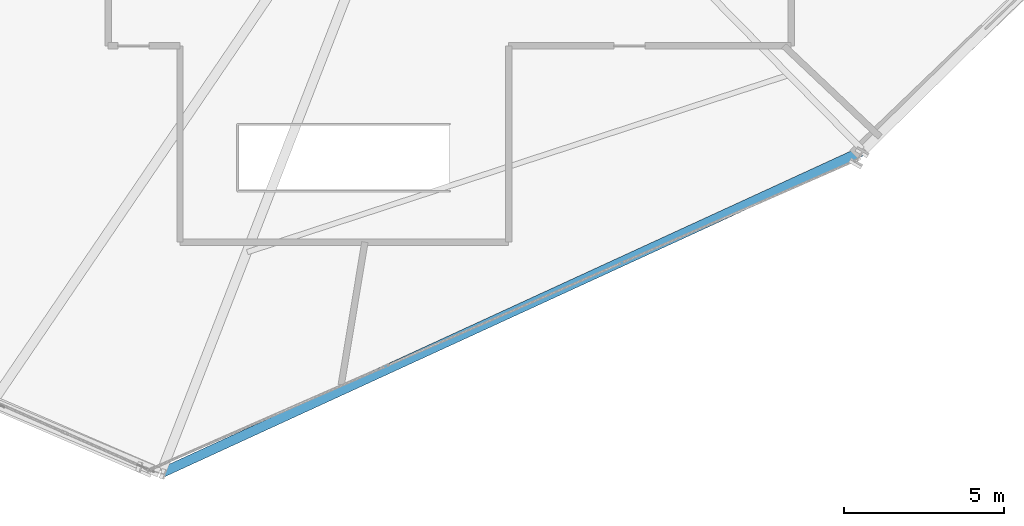
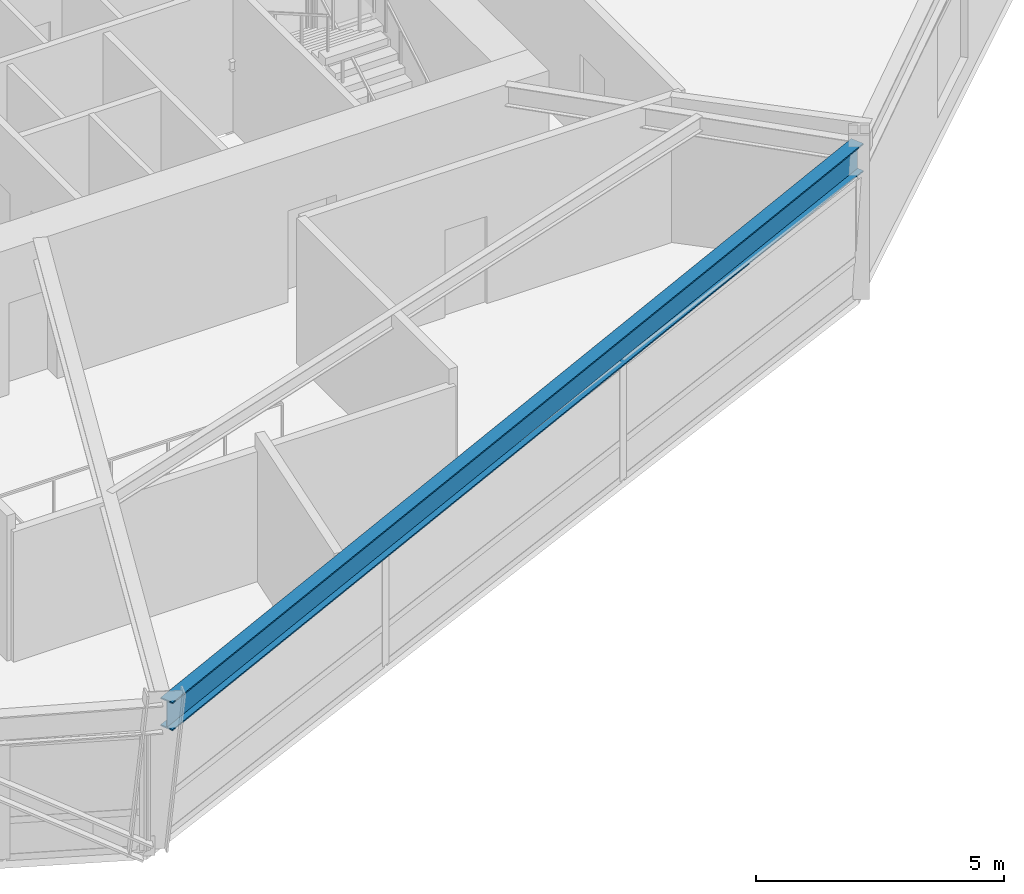
# One storey, part 5 of 17: 1 beam.
"""IFC4 building model written with IfcOpenShell, lengths in metres."""

from ifc_helpers import new_model, si_unit, direction, frame, origin, origin_2d, place, context, subcontext, project, spatial, i_section, extrude, source, transform, mapped, material, material_profile, profile_set, type_object, element, save


model = new_model("IFC4")

# Units and contexts
model_context = context("Model", 3, precision=1e-05, world=origin(), true_north=direction((0.0, 1.0)))
body_context = subcontext(model_context, "Body", "Model", "MODEL_VIEW")
ifc_project = project(units=[si_unit("LENGTHUNIT", "METRE"), si_unit("AREAUNIT", "SQUARE_METRE"), si_unit("VOLUMEUNIT", "CUBIC_METRE"), si_unit("PLANEANGLEUNIT", "RADIAN"), si_unit("MASSUNIT", "GRAM", prefix="KILO")], contexts=[model_context])

# Site, building, storey
site_placement = place(None, origin())
site = spatial("IfcSite", under=ifc_project, at=site_placement, CompositionType="ELEMENT")
building_placement = place(site_placement, origin())
building = spatial("IfcBuilding", under=site, at=building_placement, Name="Olszyna Solenne Hotel", CompositionType="ELEMENT")
storey_placement = place(building_placement, frame((0.0, 0.0, 75.89990234375)))
storey = spatial("IfcBuildingStorey", under=building, at=storey_placement, Name="L19", CompositionType="ELEMENT", Elevation=75.89990234375)

# Beam
ifc_material = material(Name="Steel S355J2", Category="steel")
ifc_material_profile = material_profile(ifc_material, i_section(OverallWidth=0.300048828125, OverallDepth=0.699951171875, WebThickness=0.01708984375, FlangeThickness=0.031982421875, at=origin_2d()), Name="HEB 700", Category="load-bearing")
ifc_profile_set = profile_set([ifc_material_profile], Name="Steel S355J2")
beam_type = type_object("IfcBeamType", Name="BM-S1", PredefinedType="BEAM", material=ifc_profile_set)
shared_shape = source(origin(), body_context, "Body", "SweptSolid", [
    extrude(i_section(OverallWidth=0.300048828125, OverallDepth=0.699951171875, WebThickness=0.01708984375, FlangeThickness=0.031982421875, at=origin_2d()), origin(), (0.0, 0.0, 1.0), 24.09716796875),
])
beam_placement = place(storey_placement, frame((29.00439453125, 3.331787109375, 3.22998046875), z_axis=(0.908682453471, 0.417487962406, 0.0), x_axis=(-0.417487962406, 0.908682453471, 0.0)))
element("IfcBeam", 1, at=beam_placement, inside=storey, type_object=beam_type, Name="Perimeter spandrel beam BM-S1 B-L19-0585", PredefinedType="BEAM", context=body_context, shape_type="MappedRepresentation", body=[
    mapped(shared_shape, transform((0.0, 0.0, 0.0), x_axis=(1.0, 0.0, 0.0), y_axis=(0.0, 1.0, 0.0), z_axis=(0.0, 0.0, 1.0), scale=1.0)),
])

save(model, "model.ifc")
